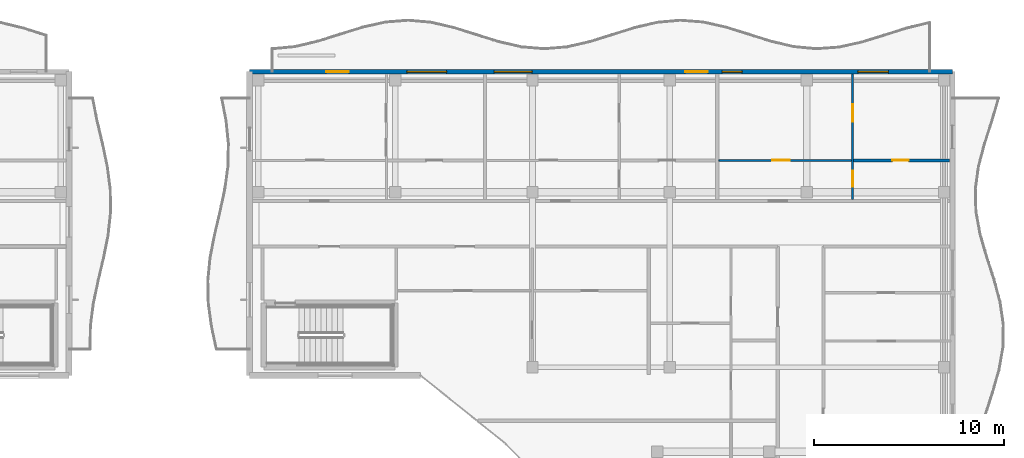
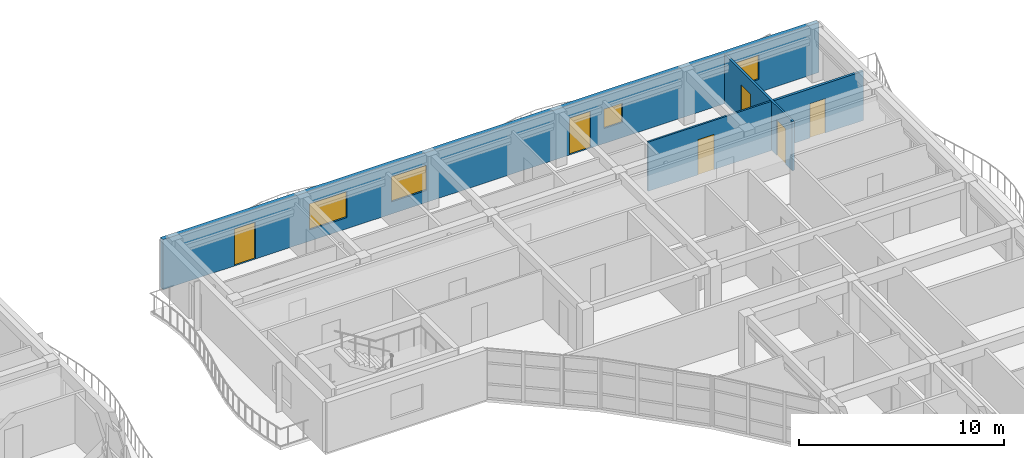
# One storey, part 47 of 76: 6 doors, 4 walls, 4 windows, 10 openings.
"""IFC4 building model written with IfcOpenShell, lengths in metres."""

from ifc_helpers import new_model, si_unit, direction, frame, frame_2d, origin, place, context, subcontext, project, spatial, rectangle, extrude, material, layer, layer_set, type_object, element, fill, save


model = new_model("IFC4")

# Units and contexts
model_context = context("Model", 3, precision=1e-05, world=origin(), true_north=direction((0.0, 1.0)))
body_context = subcontext(model_context, "Body", "Model", "MODEL_VIEW")
ifc_project = project(units=[si_unit("LENGTHUNIT", "METRE"), si_unit("AREAUNIT", "SQUARE_METRE"), si_unit("VOLUMEUNIT", "CUBIC_METRE"), si_unit("PLANEANGLEUNIT", "RADIAN"), si_unit("MASSUNIT", "GRAM", prefix="KILO")], contexts=[model_context])

# Site, building, storey
site_placement = place(None, origin())
site = spatial("IfcSite", under=ifc_project, at=site_placement, CompositionType="ELEMENT")
building_placement = place(site_placement, origin())
building = spatial("IfcBuilding", under=site, at=building_placement, Name="Keldmere Railside Commons", CompositionType="ELEMENT")
storey_placement = place(building_placement, frame((0.0, 0.0, 13.760009765625)))
storey = spatial("IfcBuildingStorey", under=building, at=storey_placement, Name="L04", CompositionType="ELEMENT", Elevation=13.760009765625)

# Wall, openings, doors
ifc_material_1 = material(Name="Acoustic Gypsum Board Partition", Category="gypsum")
ifc_layer_1 = layer(ifc_material_1, 0.1201171875, Name="Apartment Interior Partition 120")
ifc_layer_set_1 = layer_set([ifc_layer_1], Name="Acoustic Gypsum Board Partition")
wall_type_1 = type_object("IfcWallType", Name="Apartment Interior Partition 120", PredefinedType="PARTITIONING", material=ifc_layer_set_1)
wall_1_placement = place(storey_placement, frame((178.739990234375, 109.280029296875, 0.0), z_axis=(0.0, 0.0, 1.0), x_axis=(0.0, 1.0, 0.0)))
wall_1 = element("IfcWall", 1, at=wall_1_placement, inside=storey, type_object=wall_type_1, Name="IW-4 IW-L04-1582", PredefinedType="PARTITIONING", context=body_context, shape_type="SweptSolid", body=[
    extrude(rectangle(XDim=6.599853515625, YDim=0.1201171875, at=frame_2d((3.2998046875, 0.0))), origin(), (0.0, 0.0, 1.0), 2.93505859375),
])
opening_1_placement = place(wall_1_placement, frame((0.656005859375, 0.0, 0.0)))
opening_1 = element("IfcOpeningElement", 2, at=opening_1_placement, cuts=wall_1, Name="Opening ID-04", PredefinedType="OPENING", context=body_context, shape_type="SweptSolid", body=[
    extrude(rectangle(XDim=0.860107421875, YDim=2.10009765625, at=frame_2d((0.43017578125, 1.050048828125))), frame((0.0, 0.070068359375, 0.0), z_axis=(0.0, -1.0, 0.0), x_axis=(1.0, 0.0, 0.0)), (0.0, 0.0, 1.0), 0.14013671875),
])
opening_2_placement = place(wall_1_placement, frame((4.097412109375, 0.0, 0.0)))
opening_2 = element("IfcOpeningElement", 3, at=opening_2_placement, cuts=wall_1, Name="Opening ID-01", PredefinedType="OPENING", context=body_context, shape_type="SweptSolid", body=[
    extrude(rectangle(XDim=0.89990234375, YDim=2.10009765625, at=frame_2d((0.449951171875, 1.050048828125))), frame((0.0, 0.070068359375, 0.0), z_axis=(0.0, -1.0, 0.0), x_axis=(1.0, 0.0, 0.0)), (0.0, 0.0, 1.0), 0.14013671875),
])
ifc_material_2 = material(Name="Engineered Oak Timber", Category="wood")
door_type_1 = type_object("IfcDoorType", Name="Apartment Bathroom Door 860x2100", OperationType="NOTDEFINED", PredefinedType="DOOR", material=ifc_material_2)
door_1_placement = place(opening_1_placement, origin())
door_1 = element("IfcDoor", 4, at=door_1_placement, inside=storey, type_object=door_type_1, Name="ID-04 IDR-L04-1431", OperationType="SINGLE_SWING_LEFT", OverallHeight=2.10009765625, OverallWidth=0.860107421875, PredefinedType="DOOR", context=body_context, shape_type="SweptSolid", body=[
    extrude(rectangle(XDim=0.860107421875, YDim=2.10009765625, at=frame_2d((0.43017578125, 1.050048828125))), frame((0.0, 0.02490234375, 0.0), z_axis=(0.0, -1.0, 0.0), x_axis=(1.0, 0.0, 0.0)), (0.0, 0.0, 1.0), 0.050048828125),
])
fill(opening_1, door_1)
door_type_2 = type_object("IfcDoorType", Name="Primary Bedroom Door 900x2100", OperationType="NOTDEFINED", PredefinedType="DOOR", material=ifc_material_2)
door_2_placement = place(opening_2_placement, origin())
door_2 = element("IfcDoor", 5, at=door_2_placement, inside=storey, type_object=door_type_2, Name="ID-01 IDR-L04-1432", OperationType="SINGLE_SWING_RIGHT", OverallHeight=2.10009765625, OverallWidth=0.89990234375, PredefinedType="DOOR", context=body_context, shape_type="SweptSolid", body=[
    extrude(rectangle(XDim=0.89990234375, YDim=2.10009765625, at=frame_2d((0.449951171875, 1.050048828125))), frame((0.0, 0.02490234375, 0.0), z_axis=(0.0, -1.0, 0.0), x_axis=(1.0, 0.0, 0.0)), (0.0, 0.0, 1.0), 0.050048828125),
])
fill(opening_2, door_2)

# Wall, opening, door
ifc_layer_2 = layer(ifc_material_1, 0.10009765625, Name="Closet Light Partition 100")
ifc_layer_set_2 = layer_set([ifc_layer_2], Name="Acoustic Gypsum Board Partition")
wall_type_2 = type_object("IfcWallType", Name="Closet Light Partition 100", PredefinedType="PARTITIONING", material=ifc_layer_set_2)
wall_2_placement = place(storey_placement, frame((171.699951171875, 111.330078125, 0.0), z_axis=(0.0, 0.0, 1.0), x_axis=(1.0, 0.0, 0.0)))
wall_2 = element("IfcWall", 6, at=wall_2_placement, inside=storey, type_object=wall_type_2, Name="IW-6 IW-L04-1584", PredefinedType="PARTITIONING", context=body_context, shape_type="SweptSolid", body=[
    extrude(rectangle(XDim=6.97998046875, YDim=0.10009765625, at=frame_2d((3.489990234375, 0.0))), origin(), (0.0, 0.0, 1.0), 2.93505859375),
])
opening_3_placement = place(wall_2_placement, frame((2.81591796875, 0.0, 0.0)))
opening_3 = element("IfcOpeningElement", 7, at=opening_3_placement, cuts=wall_2, Name="Opening ID-03", PredefinedType="OPENING", context=body_context, shape_type="SweptSolid", body=[
    extrude(rectangle(XDim=0.919921875, YDim=2.10009765625, at=frame_2d((0.4599609375, 1.050048828125))), frame((0.0, 0.06005859375, 0.0), z_axis=(0.0, -1.0, 0.0), x_axis=(1.0, 0.0, 0.0)), (0.0, 0.0, 1.0), 0.1201171875),
])
door_type_3 = type_object("IfcDoorType", Name="Kitchen Pocket-Frame Swing Door 920x2100", OperationType="NOTDEFINED", PredefinedType="DOOR", material=ifc_material_2)
door_3_placement = place(opening_3_placement, origin())
door_3 = element("IfcDoor", 8, at=door_3_placement, inside=storey, type_object=door_type_3, Name="ID-03 IDR-L04-1430", OperationType="SINGLE_SWING_RIGHT", OverallHeight=2.10009765625, OverallWidth=0.919921875, PredefinedType="DOOR", context=body_context, shape_type="SweptSolid", body=[
    extrude(rectangle(XDim=0.919921875, YDim=2.10009765625, at=frame_2d((0.4599609375, 1.050048828125))), frame((0.0, 0.02490234375, 0.0), z_axis=(0.0, -1.0, 0.0), x_axis=(1.0, 0.0, 0.0)), (0.0, 0.0, 1.0), 0.050048828125),
])
fill(opening_3, door_3)

# Wall, openings, windows, doors
ifc_material_3 = material(Name="Architectural Precast Concrete H-35 (C35/45)", Category="concrete")
ifc_layer_3 = layer(ifc_material_3, 0.239990234375, Name="Sand-Ochre Precast Cavity Wall 240")
ifc_layer_set_3 = layer_set([ifc_layer_3], Name="Architectural Precast Concrete H-35 (C35/45)")
wall_type_3 = type_object("IfcWallType", Name="Sand-Ochre Precast Cavity Wall 240", PredefinedType="SOLIDWALL", material=ifc_layer_set_3)
wall_3_placement = place(storey_placement, frame((147.0, 116.0, 0.0), z_axis=(0.0, 0.0, 1.0), x_axis=(1.0, 0.0, 0.0)))
wall_3 = element("IfcWall", 9, at=wall_3_placement, inside=storey, type_object=wall_type_3, Name="EW-2 EXTA-L04-0905", PredefinedType="SOLIDWALL", context=body_context, shape_type="SweptSolid", body=[
    extrude(rectangle(XDim=37.0, YDim=0.239990234375, at=frame_2d((18.5, 0.0))), origin(), (0.0, 0.0, 1.0), 2.97998046875),
])
opening_4_placement = place(wall_3_placement, frame((4.02490234375, 0.0, 0.0)))
opening_4 = element("IfcOpeningElement", 10, at=opening_4_placement, cuts=wall_3, Name="Opening BD-01", PredefinedType="OPENING", context=body_context, shape_type="SweptSolid", body=[
    extrude(rectangle(XDim=1.199951171875, YDim=2.199951171875, at=frame_2d((0.60009765625, 1.10009765625))), frame((0.0, 0.1298828125, 0.0), z_axis=(0.0, -1.0, 0.0), x_axis=(1.0, 0.0, 0.0)), (0.0, 0.0, 1.0), 0.260009765625),
])
opening_5_placement = place(wall_3_placement, frame((8.27490234375, 0.0, 0.669921875)))
opening_5 = element("IfcOpeningElement", 11, at=opening_5_placement, cuts=wall_3, Name="Opening WN-11", PredefinedType="OPENING", context=body_context, shape_type="SweptSolid", body=[
    extrude(rectangle(XDim=2.10009765625, YDim=1.550048828125, at=frame_2d((1.050048828125, 0.77490234375))), frame((0.0, 0.1298828125, 0.0), z_axis=(0.0, -1.0, 0.0), x_axis=(1.0, 0.0, 0.0)), (0.0, 0.0, 1.0), 0.260009765625),
])
opening_6_placement = place(wall_3_placement, frame((12.875, 0.0, 0.719970703125)))
opening_6 = element("IfcOpeningElement", 12, at=opening_6_placement, cuts=wall_3, Name="Opening WN-02", PredefinedType="OPENING", context=body_context, shape_type="SweptSolid", body=[
    extrude(rectangle(XDim=2.0, YDim=1.5, at=frame_2d((1.0, 0.75))), frame((0.0, 0.1298828125, 0.0), z_axis=(0.0, -1.0, 0.0), x_axis=(1.0, 0.0, 0.0)), (0.0, 0.0, 1.0), 0.260009765625),
])
opening_7_placement = place(wall_3_placement, frame((22.925048828125, 0.0, 0.0)))
opening_7 = element("IfcOpeningElement", 13, at=opening_7_placement, cuts=wall_3, Name="Opening BD-01", PredefinedType="OPENING", context=body_context, shape_type="SweptSolid", body=[
    extrude(rectangle(XDim=1.199951171875, YDim=2.199951171875, at=frame_2d((0.60009765625, 1.10009765625))), frame((0.0, 0.1298828125, 0.0), z_axis=(0.0, -1.0, 0.0), x_axis=(1.0, 0.0, 0.0)), (0.0, 0.0, 1.0), 0.260009765625),
])
opening_8_placement = place(wall_3_placement, frame((24.875, 0.0, 0.89990234375)))
opening_8 = element("IfcOpeningElement", 14, at=opening_8_placement, cuts=wall_3, Name="Opening WN-13", PredefinedType="OPENING", context=body_context, shape_type="SweptSolid", body=[
    extrude(rectangle(XDim=1.050048828125, YDim=1.14990234375, at=frame_2d((0.52490234375, 0.574951171875))), frame((0.0, 0.1298828125, 0.0), z_axis=(0.0, -1.0, 0.0), x_axis=(1.0, 0.0, 0.0)), (0.0, 0.0, 1.0), 0.260009765625),
])
opening_9_placement = place(wall_3_placement, frame((32.02490234375, 0.0, 0.77001953125)))
opening_9 = element("IfcOpeningElement", 15, at=opening_9_placement, cuts=wall_3, Name="Opening WN-04", PredefinedType="OPENING", context=body_context, shape_type="SweptSolid", body=[
    extrude(rectangle(XDim=1.60009765625, YDim=1.449951171875, at=frame_2d((0.800048828125, 0.72509765625))), frame((0.0, 0.1298828125, 0.0), z_axis=(0.0, -1.0, 0.0), x_axis=(1.0, 0.0, 0.0)), (0.0, 0.0, 1.0), 0.260009765625),
])
ifc_material_4 = material(Name="Low-E Insulated Double Glazing", Category="glass")
window_type_1 = type_object("IfcWindowType", Name="Apartment Kitchen Casement Window 1050x1150", PartitioningType="SINGLE_PANEL", PredefinedType="WINDOW", material=ifc_material_4)
window_1_placement = place(opening_8_placement, origin())
window_1 = element("IfcWindow", 16, at=window_1_placement, inside=storey, type_object=window_type_1, Name="WN-13 WIN-L04-0654", OverallHeight=1.14990234375, OverallWidth=1.050048828125, PartitioningType="SINGLE_PANEL", PredefinedType="WINDOW", context=body_context, shape_type="SweptSolid", body=[
    extrude(rectangle(XDim=1.050048828125, YDim=1.14990234375, at=frame_2d((0.52490234375, 0.574951171875))), frame((0.0, 0.030029296875, 0.0), z_axis=(0.0, -1.0, 0.0), x_axis=(1.0, 0.0, 0.0)), (0.0, 0.0, 1.0), 0.06005859375),
])
fill(opening_8, window_1)
ifc_material_5 = material(Name="Thermally Broken Aluminium", Category="aluminium")
door_type_4 = type_object("IfcDoorType", Name="Apartment Living Wave-Balcony Glazed Door 1200x2200", OperationType="NOTDEFINED", PredefinedType="DOOR", material=ifc_material_5)
door_4_placement = place(opening_4_placement, origin())
door_4 = element("IfcDoor", 17, at=door_4_placement, inside=storey, type_object=door_type_4, Name="BD-01 DR-L04-0240", OperationType="SINGLE_SWING_RIGHT", OverallHeight=2.199951171875, OverallWidth=1.199951171875, PredefinedType="DOOR", context=body_context, shape_type="SweptSolid", body=[
    extrude(rectangle(XDim=1.199951171875, YDim=2.199951171875, at=frame_2d((0.60009765625, 1.10009765625))), frame((0.0, 0.02490234375, 0.0), z_axis=(0.0, -1.0, 0.0), x_axis=(1.0, 0.0, 0.0)), (0.0, 0.0, 1.0), 0.050048828125),
])
fill(opening_4, door_4)
door_5_placement = place(opening_7_placement, origin())
door_5 = element("IfcDoor", 18, at=door_5_placement, inside=storey, type_object=door_type_4, Name="BD-01 DR-L04-0241", OperationType="SINGLE_SWING_LEFT", OverallHeight=2.199951171875, OverallWidth=1.199951171875, PredefinedType="DOOR", context=body_context, shape_type="SweptSolid", body=[
    extrude(rectangle(XDim=1.199951171875, YDim=2.199951171875, at=frame_2d((0.60009765625, 1.10009765625))), frame((0.0, 0.02490234375, 0.0), z_axis=(0.0, -1.0, 0.0), x_axis=(1.0, 0.0, 0.0)), (0.0, 0.0, 1.0), 0.050048828125),
])
fill(opening_7, door_5)
window_type_2 = type_object("IfcWindowType", Name="Living Room South Casement Window 2000x1500", PartitioningType="SINGLE_PANEL", PredefinedType="WINDOW", material=ifc_material_4)
window_2_placement = place(opening_6_placement, origin())
window_2 = element("IfcWindow", 19, at=window_2_placement, inside=storey, type_object=window_type_2, Name="WN-02 WIN-L04-0653", OverallHeight=1.5, OverallWidth=2.0, PartitioningType="SINGLE_PANEL", PredefinedType="WINDOW", context=body_context, shape_type="SweptSolid", body=[
    extrude(rectangle(XDim=2.0, YDim=1.5, at=frame_2d((1.0, 0.75))), frame((0.0, 0.030029296875, 0.0), z_axis=(0.0, -1.0, 0.0), x_axis=(1.0, 0.0, 0.0)), (0.0, 0.0, 1.0), 0.06005859375),
])
fill(opening_6, window_2)
window_type_3 = type_object("IfcWindowType", Name="Living Room West Shaded Window 1600x1450", PartitioningType="SINGLE_PANEL", PredefinedType="WINDOW", material=ifc_material_4)
window_3_placement = place(opening_9_placement, origin())
window_3 = element("IfcWindow", 20, at=window_3_placement, inside=storey, type_object=window_type_3, Name="WN-04 WIN-L04-0655", OverallHeight=1.449951171875, OverallWidth=1.60009765625, PartitioningType="SINGLE_PANEL", PredefinedType="WINDOW", context=body_context, shape_type="SweptSolid", body=[
    extrude(rectangle(XDim=1.60009765625, YDim=1.449951171875, at=frame_2d((0.800048828125, 0.72509765625))), frame((0.0, 0.030029296875, 0.0), z_axis=(0.0, -1.0, 0.0), x_axis=(1.0, 0.0, 0.0)), (0.0, 0.0, 1.0), 0.06005859375),
])
fill(opening_9, window_3)
window_type_4 = type_object("IfcWindowType", Name="Studio Wide Casement Window 2100x1550", PartitioningType="SINGLE_PANEL", PredefinedType="WINDOW", material=ifc_material_4)
window_4_placement = place(opening_5_placement, origin())
window_4 = element("IfcWindow", 21, at=window_4_placement, inside=storey, type_object=window_type_4, Name="WN-11 WIN-L04-0652", OverallHeight=1.550048828125, OverallWidth=2.10009765625, PartitioningType="SINGLE_PANEL", PredefinedType="WINDOW", context=body_context, shape_type="SweptSolid", body=[
    extrude(rectangle(XDim=2.10009765625, YDim=1.550048828125, at=frame_2d((1.050048828125, 0.77490234375))), frame((0.0, 0.030029296875, 0.0), z_axis=(0.0, -1.0, 0.0), x_axis=(1.0, 0.0, 0.0)), (0.0, 0.0, 1.0), 0.06005859375),
])
fill(opening_5, window_4)

# Wall, opening, door
ifc_layer_4 = layer(ifc_material_1, 0.139892578125, Name="Wet-Room Sanitary Partition 140")
ifc_layer_set_4 = layer_set([ifc_layer_4], Name="Acoustic Gypsum Board Partition")
wall_type_4 = type_object("IfcWallType", Name="Wet-Room Sanitary Partition 140", PredefinedType="PARTITIONING", material=ifc_layer_set_4)
wall_4_placement = place(storey_placement, frame((178.800048828125, 111.330078125, 0.0), z_axis=(0.0, 0.0, 1.0), x_axis=(1.0, 0.0, 0.0)))
wall_4 = element("IfcWall", 22, at=wall_4_placement, inside=storey, type_object=wall_type_4, Name="IW-5 IW-L04-1583", PredefinedType="PARTITIONING", context=body_context, shape_type="SweptSolid", body=[
    extrude(rectangle(XDim=5.0400390625, YDim=0.139892578125, at=frame_2d((2.52001953125, 0.0))), origin(), (0.0, 0.0, 1.0), 2.93505859375),
])
opening_10_placement = place(wall_4_placement, frame((2.0400390625, 0.0, 0.0)))
opening_10 = element("IfcOpeningElement", 23, at=opening_10_placement, cuts=wall_4, Name="Opening ID-06", PredefinedType="OPENING", context=body_context, shape_type="SweptSolid", body=[
    extrude(rectangle(XDim=0.85009765625, YDim=2.050048828125, at=frame_2d((0.425048828125, 1.02490234375))), frame((0.0, 0.079833984375, 0.0), z_axis=(0.0, -1.0, 0.0), x_axis=(1.0, 0.0, 0.0)), (0.0, 0.0, 1.0), 0.159912109375),
])
door_type_5 = type_object("IfcDoorType", Name="Storage Closet Door 850x2050", OperationType="NOTDEFINED", PredefinedType="DOOR", material=ifc_material_2)
door_6_placement = place(opening_10_placement, origin())
door_6 = element("IfcDoor", 24, at=door_6_placement, inside=storey, type_object=door_type_5, Name="ID-06 IDR-L04-1433", OperationType="SINGLE_SWING_LEFT", OverallHeight=2.050048828125, OverallWidth=0.85009765625, PredefinedType="DOOR", context=body_context, shape_type="SweptSolid", body=[
    extrude(rectangle(XDim=0.85009765625, YDim=2.050048828125, at=frame_2d((0.425048828125, 1.02490234375))), frame((0.0, 0.02490234375, 0.0), z_axis=(0.0, -1.0, 0.0), x_axis=(1.0, 0.0, 0.0)), (0.0, 0.0, 1.0), 0.050048828125),
])
fill(opening_10, door_6)

save(model, "model.ifc")
